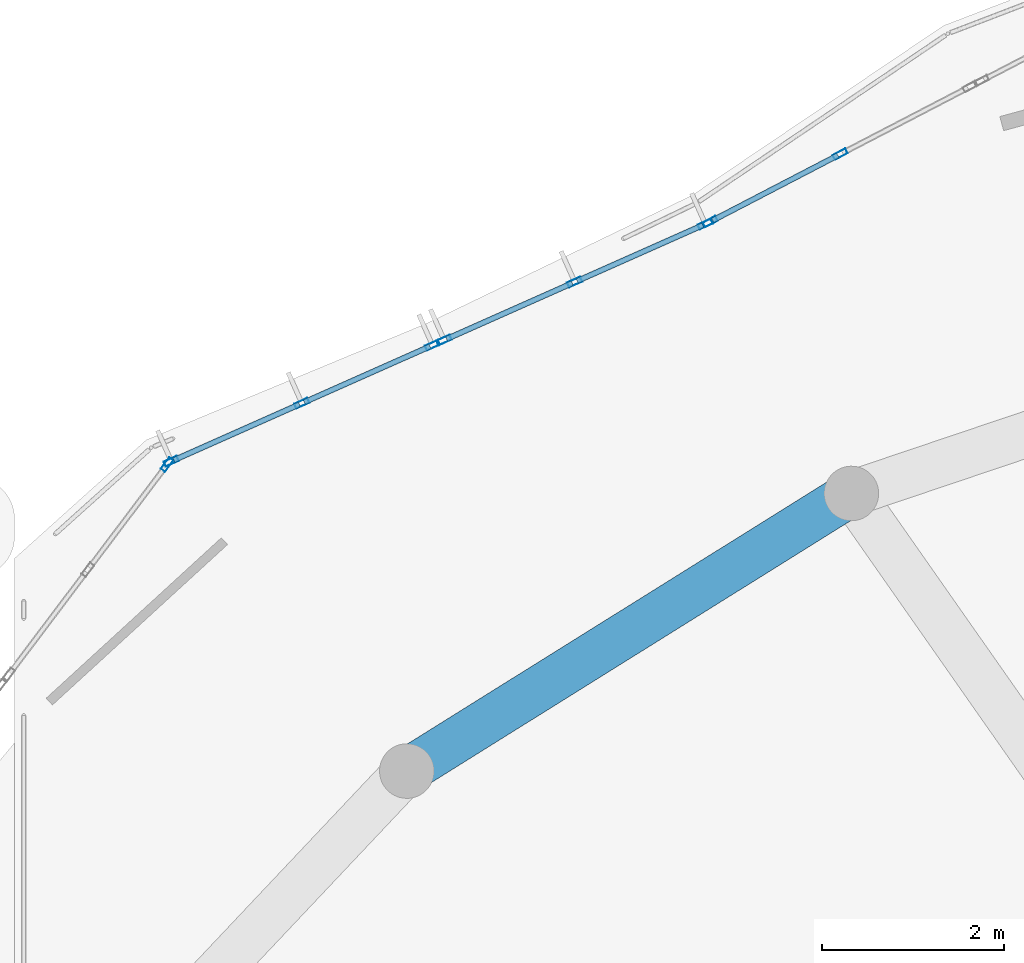
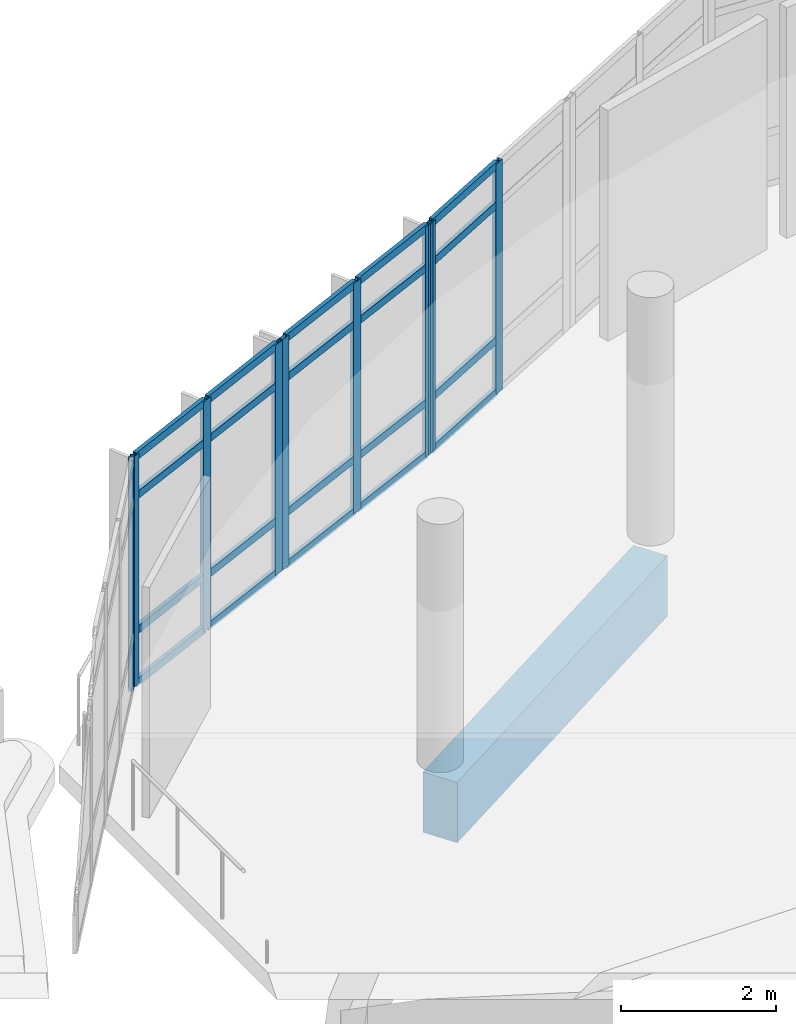
# One storey, part 38 of 74: 29 members, 1 beam, 4 elements without a shape of their own.
"""IFC4 building model written with IfcOpenShell, lengths in metres."""

from ifc_helpers import new_model, si_unit, derived_unit, direction, frame, origin, origin_2d, place, context, subcontext, project, spatial, rectangle, hollow_rectangle, extrude, material, layer, layer_set, material_profile, profile_set, type_object, element, aggregate, save


model = new_model("IFC4")

# Units and contexts
model_context = context("Model", 3, precision=1e-05, world=origin(), true_north=direction((0.0, 1.0)))
body_context = subcontext(model_context, "Body", "Model", "MODEL_VIEW")
ifc_project = project(units=[si_unit("LENGTHUNIT", "METRE"), si_unit("AREAUNIT", "SQUARE_METRE"), si_unit("VOLUMEUNIT", "CUBIC_METRE"), si_unit("PLANEANGLEUNIT", "RADIAN"), si_unit("MASSUNIT", "GRAM", prefix="KILO"), derived_unit("THERMALTRANSMITTANCEUNIT", [(si_unit("POWERUNIT", "WATT"), 1), (si_unit("LENGTHUNIT", "METRE"), -2), (si_unit("THERMODYNAMICTEMPERATUREUNIT", "KELVIN"), -1)])], contexts=[model_context])

# Site, building, storey
site_placement = place(None, origin())
site = spatial("IfcSite", under=ifc_project, at=site_placement, CompositionType="ELEMENT")
building_placement = place(site_placement, origin())
building = spatial("IfcBuilding", under=site, at=building_placement, Name="Elbkamm Science Centre", CompositionType="ELEMENT")
storey_placement = place(building_placement, frame((0.0, 0.0, 14.39990234375)))
storey = spatial("IfcBuildingStorey", under=building, at=storey_placement, Name="L03", CompositionType="ELEMENT", Elevation=14.39990234375)

# Beam
ifc_material_1 = material(Name="Concrete C40/50", Category="concrete")
ifc_material_profile_1 = material_profile(ifc_material_1, rectangle(XDim=0.5, YDim=0.949951171875, at=origin_2d()), Name="RC 500x950")
ifc_profile_set_1 = profile_set([ifc_material_profile_1], Name="Concrete C40/50")
beam_type = type_object("IfcBeamType", Name="BM-RC-500x950", PredefinedType="BEAM", material=ifc_profile_set_1)
beam_placement = place(storey_placement, frame((51.199951171875, 83.827880859375, -0.7548828125), z_axis=(-0.848229099729, -0.529629487824, 0.0), x_axis=(0.529629487824, -0.848229099729, 0.0)))
element("IfcBeam", 1, at=beam_placement, inside=storey, type_object=beam_type, Name="L03 Elliptical Shell Perimeter Ring Beam 09", PredefinedType="SPANDREL", context=body_context, shape_type="SweptSolid", body=[
    extrude(rectangle(XDim=0.5, YDim=0.949951171875, at=origin_2d()), origin(), (0.0, 0.0, 1.0), 5.762451171875),
])

# Curtain wall, members
ifc_material_2 = material(Name="Powder-coated aluminium and triple low-E glazing", Category="aluminium")
ifc_layer_1 = layer(ifc_material_2, 0.159912109375)
ifc_layer_set_1 = layer_set([ifc_layer_1], Name="Powder-coated aluminium and triple low-E glazing")
curtain_wall_type_1 = type_object("IfcCurtainWallType", Name="CW-UNIT-3280x3620", PredefinedType="USERDEFINED", material=ifc_layer_set_1)
curtain_wall_1_placement = place(storey_placement, origin())
curtain_wall_1 = element("IfcCurtainWall", 2, at=curtain_wall_1_placement, inside=storey, type_object=curtain_wall_type_1, Name="L03 Unitised Curtain Wall 060", ObjectType="UNITISED CURTAIN WALL", PredefinedType="USERDEFINED")
ifc_material_3 = material(Name="Powder-coated aluminium EN AW-6060", Category="aluminium")
ifc_material_profile_2 = material_profile(ifc_material_3, hollow_rectangle(XDim=0.06005859375, YDim=0.159912109375, WallThickness=0.00390625, at=origin_2d()), Name="ALU M60x160")
ifc_profile_set_2 = profile_set([ifc_material_profile_2], Name="Powder-coated aluminium EN AW-6060")
member_type_1 = type_object("IfcMemberType", Name="CW-MUL-60x160", PredefinedType="MULLION", material=ifc_profile_set_2)
member_1_placement = place(storey_placement, frame((51.077392578125, 87.55859375, 0.0), z_axis=(0.0, 0.0, 1.0), x_axis=(0.461070562419, -0.887363474835, 0.0)))
member_1 = element("IfcMember", 3, at=member_1_placement, type_object=member_type_1, Name="CW-024 mullion 2", PredefinedType="MULLION", context=body_context, shape_type="SweptSolid", body=[
    extrude(hollow_rectangle(XDim=0.06005859375, YDim=0.159912109375, WallThickness=0.00390625, at=origin_2d()), origin(), (0.0, 0.0, 1.0), 3.6201171875),
])
member_2_placement = place(storey_placement, frame((49.6484375, 86.816162109375, 0.0), z_axis=(0.0, 0.0, 1.0), x_axis=(0.461070562419, -0.887363474835, 0.0)))
member_2 = element("IfcMember", 4, at=member_2_placement, type_object=member_type_1, Name="CW-024 mullion 3", PredefinedType="MULLION", context=body_context, shape_type="SweptSolid", body=[
    extrude(hollow_rectangle(XDim=0.06005859375, YDim=0.159912109375, WallThickness=0.00390625, at=origin_2d()), origin(), (0.0, 0.0, 1.0), 3.6201171875),
])

ifc_layer_2 = layer(ifc_material_2, 0.159912109375)
ifc_layer_set_2 = layer_set([ifc_layer_2], Name="Powder-coated aluminium and triple low-E glazing")
curtain_wall_type_2 = type_object("IfcCurtainWallType", Name="CW-UNIT-3200x3620", PredefinedType="USERDEFINED", material=ifc_layer_set_2)
curtain_wall_2_placement = place(storey_placement, origin())
curtain_wall_2 = element("IfcCurtainWall", 5, at=curtain_wall_2_placement, inside=storey, type_object=curtain_wall_type_2, Name="L03 Unitised Curtain Wall 061", ObjectType="UNITISED CURTAIN WALL", PredefinedType="USERDEFINED")
member_3_placement = place(storey_placement, frame((49.594482421875, 86.7900390625, 0.0), z_axis=(0.0, 0.0, 1.0), x_axis=(0.405944352522, -0.913897796614, 0.0)))
member_3 = element("IfcMember", 6, at=member_3_placement, type_object=member_type_1, Name="CW-023 mullion 1", PredefinedType="MULLION", context=body_context, shape_type="SweptSolid", body=[
    extrude(hollow_rectangle(XDim=0.06005859375, YDim=0.159912109375, WallThickness=0.00390625, at=origin_2d()), origin(), (0.0, 0.0, 1.0), 3.6201171875),
])
member_4_placement = place(storey_placement, frame((48.158447265625, 86.15234375, 0.0), z_axis=(0.0, 0.0, 1.0), x_axis=(0.405944352522, -0.913897796614, 0.0)))
member_4 = element("IfcMember", 7, at=member_4_placement, type_object=member_type_1, Name="CW-023 mullion 2", PredefinedType="MULLION", context=body_context, shape_type="SweptSolid", body=[
    extrude(hollow_rectangle(XDim=0.06005859375, YDim=0.159912109375, WallThickness=0.00390625, at=origin_2d()), origin(), (0.0, 0.0, 1.0), 3.6201171875),
])
member_5_placement = place(storey_placement, frame((46.722412109375, 85.514404296875, 0.0), z_axis=(0.0, 0.0, 1.0), x_axis=(0.405944352522, -0.913897796614, 0.0)))
member_5 = element("IfcMember", 8, at=member_5_placement, type_object=member_type_1, Name="CW-023 mullion 3", PredefinedType="MULLION", context=body_context, shape_type="SweptSolid", body=[
    extrude(hollow_rectangle(XDim=0.06005859375, YDim=0.159912109375, WallThickness=0.00390625, at=origin_2d()), origin(), (0.0, 0.0, 1.0), 3.6201171875),
])

curtain_wall_3_placement = place(storey_placement, origin())
curtain_wall_3 = element("IfcCurtainWall", 9, at=curtain_wall_3_placement, inside=storey, type_object=curtain_wall_type_2, Name="L03 Unitised Curtain Wall 062", ObjectType="UNITISED CURTAIN WALL", PredefinedType="USERDEFINED")
member_6_placement = place(storey_placement, frame((46.594482421875, 85.45751953125, 0.0), z_axis=(0.0, 0.0, 1.0), x_axis=(0.405944352522, -0.913897796614, 0.0)))
member_6 = element("IfcMember", 10, at=member_6_placement, type_object=member_type_1, Name="CW-023 mullion 1", PredefinedType="MULLION", context=body_context, shape_type="SweptSolid", body=[
    extrude(hollow_rectangle(XDim=0.06005859375, YDim=0.159912109375, WallThickness=0.00390625, at=origin_2d()), origin(), (0.0, 0.0, 1.0), 3.6201171875),
])
member_7_placement = place(storey_placement, frame((45.158447265625, 84.819580078125, 0.0), z_axis=(0.0, 0.0, 1.0), x_axis=(0.405944352522, -0.913897796614, 0.0)))
member_7 = element("IfcMember", 11, at=member_7_placement, type_object=member_type_1, Name="CW-023 mullion 2", PredefinedType="MULLION", context=body_context, shape_type="SweptSolid", body=[
    extrude(hollow_rectangle(XDim=0.06005859375, YDim=0.159912109375, WallThickness=0.00390625, at=origin_2d()), origin(), (0.0, 0.0, 1.0), 3.6201171875),
])
member_8_placement = place(storey_placement, frame((43.722412109375, 84.181884765625, 0.0), z_axis=(0.0, 0.0, 1.0), x_axis=(0.405944352522, -0.913897796614, 0.0)))
member_8 = element("IfcMember", 12, at=member_8_placement, type_object=member_type_1, Name="CW-023 mullion 3", PredefinedType="MULLION", context=body_context, shape_type="SweptSolid", body=[
    extrude(hollow_rectangle(XDim=0.06005859375, YDim=0.159912109375, WallThickness=0.00390625, at=origin_2d()), origin(), (0.0, 0.0, 1.0), 3.6201171875),
])

# Curtain wall, member
ifc_layer_3 = layer(ifc_material_2, 0.159912109375)
ifc_layer_set_3 = layer_set([ifc_layer_3], Name="Powder-coated aluminium and triple low-E glazing")
curtain_wall_type_3 = type_object("IfcCurtainWallType", Name="CW-UNIT-2960x3620", PredefinedType="USERDEFINED", material=ifc_layer_set_3)
curtain_wall_4_placement = place(storey_placement, origin())
curtain_wall_4 = element("IfcCurtainWall", 13, at=curtain_wall_4_placement, inside=storey, type_object=curtain_wall_type_3, Name="L03 Unitised Curtain Wall 063", ObjectType="UNITISED CURTAIN WALL", PredefinedType="USERDEFINED")
member_9_placement = place(storey_placement, frame((43.6767578125, 84.145751953125, 0.0), z_axis=(0.0, 0.0, 1.0), x_axis=(0.798585651148, -0.601881182445, 0.0)))
member_9 = element("IfcMember", 14, at=member_9_placement, type_object=member_type_1, Name="CW-022 mullion 1", PredefinedType="MULLION", context=body_context, shape_type="SweptSolid", body=[
    extrude(hollow_rectangle(XDim=0.06005859375, YDim=0.159912109375, WallThickness=0.00390625, at=origin_2d()), origin(), (0.0, 0.0, 1.0), 3.6201171875),
])
aggregate(curtain_wall_4, [member_9])

# Member
ifc_material_profile_3 = material_profile(ifc_material_3, hollow_rectangle(XDim=0.06005859375, YDim=0.1201171875, WallThickness=0.00341796875, at=origin_2d()), Name="ALU T60x120")
ifc_profile_set_3 = profile_set([ifc_material_profile_3], Name="Powder-coated aluminium EN AW-6060")
member_type_2 = type_object("IfcMemberType", Name="CW-TRN-60x120", PredefinedType="USERDEFINED", material=ifc_profile_set_3)
member_10_placement = place(storey_placement, frame((51.05078125, 87.544921875, 0.030029296875), z_axis=(-0.88735856407, -0.461080013416, 0.0), x_axis=(0.461080013416, -0.88735856407, 0.0)))
member_10 = element("IfcMember", 15, at=member_10_placement, type_object=member_type_2, Name="CW-024 transom 2.1", ObjectType="TRANSOM", PredefinedType="USERDEFINED", context=body_context, shape_type="SweptSolid", body=[
    extrude(hollow_rectangle(XDim=0.06005859375, YDim=0.1201171875, WallThickness=0.00341796875, at=origin_2d()), origin(), (0.0, 0.0, 1.0), 1.55029296875),
])

member_11_placement = place(storey_placement, frame((51.05078125, 87.544921875, 0.85009765625), z_axis=(-0.88735856407, -0.461080013416, 0.0), x_axis=(0.461080013416, -0.88735856407, 0.0)))
member_11 = element("IfcMember", 16, at=member_11_placement, type_object=member_type_2, Name="CW-024 transom 2.2", ObjectType="TRANSOM", PredefinedType="USERDEFINED", context=body_context, shape_type="SweptSolid", body=[
    extrude(hollow_rectangle(XDim=0.06005859375, YDim=0.1201171875, WallThickness=0.00341796875, at=origin_2d()), origin(), (0.0, 0.0, 1.0), 1.55029296875),
])

member_12_placement = place(storey_placement, frame((51.05078125, 87.544921875, 2.97021484375), z_axis=(-0.88735856407, -0.461080013416, 0.0), x_axis=(0.461080013416, -0.88735856407, 0.0)))
member_12 = element("IfcMember", 17, at=member_12_placement, type_object=member_type_2, Name="CW-024 transom 2.3", ObjectType="TRANSOM", PredefinedType="USERDEFINED", context=body_context, shape_type="SweptSolid", body=[
    extrude(hollow_rectangle(XDim=0.06005859375, YDim=0.1201171875, WallThickness=0.00341796875, at=origin_2d()), origin(), (0.0, 0.0, 1.0), 1.55029296875),
])

member_13_placement = place(storey_placement, frame((51.05078125, 87.544921875, 3.590087890625), z_axis=(-0.88735856407, -0.461080013416, 0.0), x_axis=(0.461080013416, -0.88735856407, 0.0)))
member_13 = element("IfcMember", 18, at=member_13_placement, type_object=member_type_2, Name="CW-024 transom 2.4", ObjectType="TRANSOM", PredefinedType="USERDEFINED", context=body_context, shape_type="SweptSolid", body=[
    extrude(hollow_rectangle(XDim=0.06005859375, YDim=0.1201171875, WallThickness=0.00341796875, at=origin_2d()), origin(), (0.0, 0.0, 1.0), 1.55029296875),
])

aggregate(curtain_wall_1, [member_1, member_2, member_10, member_11, member_12, member_13])

member_14_placement = place(storey_placement, frame((49.56689453125, 86.77783203125, 0.030029296875), z_axis=(-0.913884813874, -0.405973579153, 0.0), x_axis=(0.405973579153, -0.913884813874, 0.0)))
member_14 = element("IfcMember", 19, at=member_14_placement, type_object=member_type_2, Name="CW-023 transom 1.1", ObjectType="TRANSOM", PredefinedType="USERDEFINED", context=body_context, shape_type="SweptSolid", body=[
    extrude(hollow_rectangle(XDim=0.06005859375, YDim=0.1201171875, WallThickness=0.00341796875, at=origin_2d()), origin(), (0.0, 0.0, 1.0), 1.51123046875),
])

member_15_placement = place(storey_placement, frame((49.56689453125, 86.77783203125, 0.85009765625), z_axis=(-0.913884813874, -0.405973579153, 0.0), x_axis=(0.405973579153, -0.913884813874, 0.0)))
member_15 = element("IfcMember", 20, at=member_15_placement, type_object=member_type_2, Name="CW-023 transom 1.2", ObjectType="TRANSOM", PredefinedType="USERDEFINED", context=body_context, shape_type="SweptSolid", body=[
    extrude(hollow_rectangle(XDim=0.06005859375, YDim=0.1201171875, WallThickness=0.00341796875, at=origin_2d()), origin(), (0.0, 0.0, 1.0), 1.51123046875),
])

member_16_placement = place(storey_placement, frame((49.56689453125, 86.77783203125, 2.97021484375), z_axis=(-0.913884813874, -0.405973579153, 0.0), x_axis=(0.405973579153, -0.913884813874, 0.0)))
member_16 = element("IfcMember", 21, at=member_16_placement, type_object=member_type_2, Name="CW-023 transom 1.3", ObjectType="TRANSOM", PredefinedType="USERDEFINED", context=body_context, shape_type="SweptSolid", body=[
    extrude(hollow_rectangle(XDim=0.06005859375, YDim=0.1201171875, WallThickness=0.00341796875, at=origin_2d()), origin(), (0.0, 0.0, 1.0), 1.51123046875),
])

member_17_placement = place(storey_placement, frame((49.56689453125, 86.77783203125, 3.590087890625), z_axis=(-0.913884813874, -0.405973579153, 0.0), x_axis=(0.405973579153, -0.913884813874, 0.0)))
member_17 = element("IfcMember", 22, at=member_17_placement, type_object=member_type_2, Name="CW-023 transom 1.4", ObjectType="TRANSOM", PredefinedType="USERDEFINED", context=body_context, shape_type="SweptSolid", body=[
    extrude(hollow_rectangle(XDim=0.06005859375, YDim=0.1201171875, WallThickness=0.00341796875, at=origin_2d()), origin(), (0.0, 0.0, 1.0), 1.51123046875),
])

member_18_placement = place(storey_placement, frame((48.130859375, 86.14013671875, 0.030029296875), z_axis=(-0.913884813874, -0.405973579153, 0.0), x_axis=(0.405973579153, -0.913884813874, 0.0)))
member_18 = element("IfcMember", 23, at=member_18_placement, type_object=member_type_2, Name="CW-023 transom 2.1", ObjectType="TRANSOM", PredefinedType="USERDEFINED", context=body_context, shape_type="SweptSolid", body=[
    extrude(hollow_rectangle(XDim=0.06005859375, YDim=0.1201171875, WallThickness=0.00341796875, at=origin_2d()), origin(), (0.0, 0.0, 1.0), 1.51123046875),
])

member_19_placement = place(storey_placement, frame((48.130859375, 86.14013671875, 0.85009765625), z_axis=(-0.913884813874, -0.405973579153, 0.0), x_axis=(0.405973579153, -0.913884813874, 0.0)))
member_19 = element("IfcMember", 24, at=member_19_placement, type_object=member_type_2, Name="CW-023 transom 2.2", ObjectType="TRANSOM", PredefinedType="USERDEFINED", context=body_context, shape_type="SweptSolid", body=[
    extrude(hollow_rectangle(XDim=0.06005859375, YDim=0.1201171875, WallThickness=0.00341796875, at=origin_2d()), origin(), (0.0, 0.0, 1.0), 1.51123046875),
])

member_20_placement = place(storey_placement, frame((48.130859375, 86.14013671875, 2.97021484375), z_axis=(-0.913884813874, -0.405973579153, 0.0), x_axis=(0.405973579153, -0.913884813874, 0.0)))
member_20 = element("IfcMember", 25, at=member_20_placement, type_object=member_type_2, Name="CW-023 transom 2.3", ObjectType="TRANSOM", PredefinedType="USERDEFINED", context=body_context, shape_type="SweptSolid", body=[
    extrude(hollow_rectangle(XDim=0.06005859375, YDim=0.1201171875, WallThickness=0.00341796875, at=origin_2d()), origin(), (0.0, 0.0, 1.0), 1.51123046875),
])

member_21_placement = place(storey_placement, frame((48.130859375, 86.14013671875, 3.590087890625), z_axis=(-0.913884813874, -0.405973579153, 0.0), x_axis=(0.405973579153, -0.913884813874, 0.0)))
member_21 = element("IfcMember", 26, at=member_21_placement, type_object=member_type_2, Name="CW-023 transom 2.4", ObjectType="TRANSOM", PredefinedType="USERDEFINED", context=body_context, shape_type="SweptSolid", body=[
    extrude(hollow_rectangle(XDim=0.06005859375, YDim=0.1201171875, WallThickness=0.00341796875, at=origin_2d()), origin(), (0.0, 0.0, 1.0), 1.51123046875),
])

aggregate(curtain_wall_2, [member_3, member_4, member_5, member_14, member_15, member_16, member_17, member_18, member_19, member_20, member_21])

member_22_placement = place(storey_placement, frame((46.56689453125, 85.4453125, 0.030029296875), z_axis=(-0.913884813874, -0.405973579153, 0.0), x_axis=(0.405973579153, -0.913884813874, 0.0)))
member_22 = element("IfcMember", 27, at=member_22_placement, type_object=member_type_2, Name="CW-023 transom 1.1", ObjectType="TRANSOM", PredefinedType="USERDEFINED", context=body_context, shape_type="SweptSolid", body=[
    extrude(hollow_rectangle(XDim=0.06005859375, YDim=0.1201171875, WallThickness=0.00341796875, at=origin_2d()), origin(), (0.0, 0.0, 1.0), 1.51123046875),
])

member_23_placement = place(storey_placement, frame((46.56689453125, 85.4453125, 0.85009765625), z_axis=(-0.913884813874, -0.405973579153, 0.0), x_axis=(0.405973579153, -0.913884813874, 0.0)))
member_23 = element("IfcMember", 28, at=member_23_placement, type_object=member_type_2, Name="CW-023 transom 1.2", ObjectType="TRANSOM", PredefinedType="USERDEFINED", context=body_context, shape_type="SweptSolid", body=[
    extrude(hollow_rectangle(XDim=0.06005859375, YDim=0.1201171875, WallThickness=0.00341796875, at=origin_2d()), origin(), (0.0, 0.0, 1.0), 1.51123046875),
])

member_24_placement = place(storey_placement, frame((46.56689453125, 85.4453125, 2.97021484375), z_axis=(-0.913884813874, -0.405973579153, 0.0), x_axis=(0.405973579153, -0.913884813874, 0.0)))
member_24 = element("IfcMember", 29, at=member_24_placement, type_object=member_type_2, Name="CW-023 transom 1.3", ObjectType="TRANSOM", PredefinedType="USERDEFINED", context=body_context, shape_type="SweptSolid", body=[
    extrude(hollow_rectangle(XDim=0.06005859375, YDim=0.1201171875, WallThickness=0.00341796875, at=origin_2d()), origin(), (0.0, 0.0, 1.0), 1.51123046875),
])

member_25_placement = place(storey_placement, frame((46.56689453125, 85.4453125, 3.590087890625), z_axis=(-0.913884813874, -0.405973579153, 0.0), x_axis=(0.405973579153, -0.913884813874, 0.0)))
member_25 = element("IfcMember", 30, at=member_25_placement, type_object=member_type_2, Name="CW-023 transom 1.4", ObjectType="TRANSOM", PredefinedType="USERDEFINED", context=body_context, shape_type="SweptSolid", body=[
    extrude(hollow_rectangle(XDim=0.06005859375, YDim=0.1201171875, WallThickness=0.00341796875, at=origin_2d()), origin(), (0.0, 0.0, 1.0), 1.51123046875),
])

member_26_placement = place(storey_placement, frame((45.130859375, 84.807373046875, 0.030029296875), z_axis=(-0.913884813874, -0.405973579153, 0.0), x_axis=(0.405973579153, -0.913884813874, 0.0)))
member_26 = element("IfcMember", 31, at=member_26_placement, type_object=member_type_2, Name="CW-023 transom 2.1", ObjectType="TRANSOM", PredefinedType="USERDEFINED", context=body_context, shape_type="SweptSolid", body=[
    extrude(hollow_rectangle(XDim=0.06005859375, YDim=0.1201171875, WallThickness=0.00341796875, at=origin_2d()), origin(), (0.0, 0.0, 1.0), 1.51123046875),
])

member_27_placement = place(storey_placement, frame((45.130859375, 84.807373046875, 0.85009765625), z_axis=(-0.913884813874, -0.405973579153, 0.0), x_axis=(0.405973579153, -0.913884813874, 0.0)))
member_27 = element("IfcMember", 32, at=member_27_placement, type_object=member_type_2, Name="CW-023 transom 2.2", ObjectType="TRANSOM", PredefinedType="USERDEFINED", context=body_context, shape_type="SweptSolid", body=[
    extrude(hollow_rectangle(XDim=0.06005859375, YDim=0.1201171875, WallThickness=0.00341796875, at=origin_2d()), origin(), (0.0, 0.0, 1.0), 1.51123046875),
])

member_28_placement = place(storey_placement, frame((45.130859375, 84.807373046875, 2.97021484375), z_axis=(-0.913884813874, -0.405973579153, 0.0), x_axis=(0.405973579153, -0.913884813874, 0.0)))
member_28 = element("IfcMember", 33, at=member_28_placement, type_object=member_type_2, Name="CW-023 transom 2.3", ObjectType="TRANSOM", PredefinedType="USERDEFINED", context=body_context, shape_type="SweptSolid", body=[
    extrude(hollow_rectangle(XDim=0.06005859375, YDim=0.1201171875, WallThickness=0.00341796875, at=origin_2d()), origin(), (0.0, 0.0, 1.0), 1.51123046875),
])

member_29_placement = place(storey_placement, frame((45.130859375, 84.807373046875, 3.590087890625), z_axis=(-0.913884813874, -0.405973579153, 0.0), x_axis=(0.405973579153, -0.913884813874, 0.0)))
member_29 = element("IfcMember", 34, at=member_29_placement, type_object=member_type_2, Name="CW-023 transom 2.4", ObjectType="TRANSOM", PredefinedType="USERDEFINED", context=body_context, shape_type="SweptSolid", body=[
    extrude(hollow_rectangle(XDim=0.06005859375, YDim=0.1201171875, WallThickness=0.00341796875, at=origin_2d()), origin(), (0.0, 0.0, 1.0), 1.51123046875),
])

aggregate(curtain_wall_3, [member_6, member_7, member_8, member_22, member_23, member_24, member_25, member_26, member_27, member_28, member_29])

save(model, "model.ifc")
